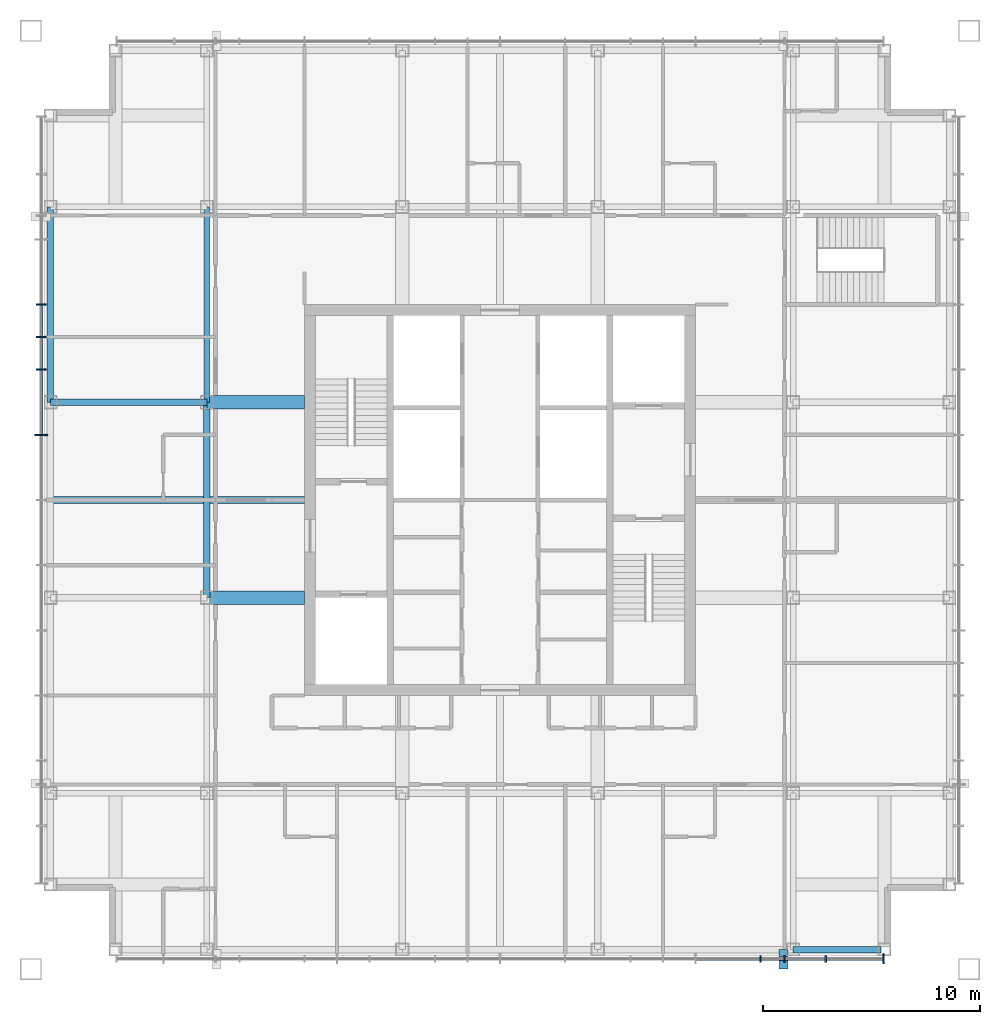
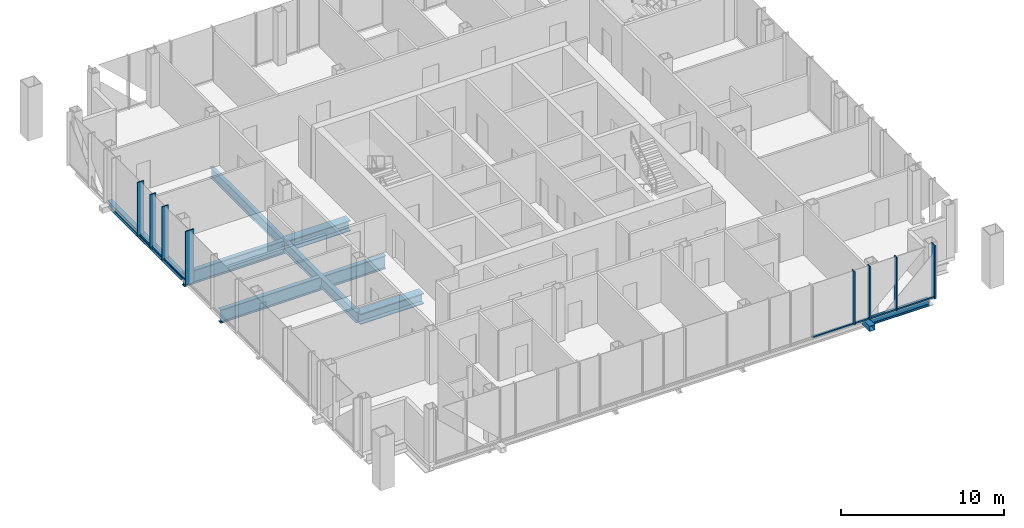
# One storey, part 3 of 11: 16 members, 8 beams, 2 elements without a shape of their own.
"""IFC4 building model written with IfcOpenShell, lengths in metres."""

from ifc_helpers import new_model, si_unit, direction, frame, origin, origin_2d, place, context, subcontext, project, spatial, rectangle, hollow_rectangle, i_section, extrude, material, layer, layer_set, material_profile, profile_set, type_object, element, aggregate, save


model = new_model("IFC4")

# Units and contexts
model_context = context("Model", 3, precision=1e-05, world=origin(), true_north=direction((0.0, 1.0)))
body_context = subcontext(model_context, "Body", "Model", "MODEL_VIEW")
ifc_project = project(units=[si_unit("LENGTHUNIT", "METRE"), si_unit("AREAUNIT", "SQUARE_METRE"), si_unit("VOLUMEUNIT", "CUBIC_METRE"), si_unit("PLANEANGLEUNIT", "RADIAN"), si_unit("MASSUNIT", "GRAM", prefix="KILO")], contexts=[model_context])

# Site, building, storey
site_placement = place(None, origin())
site = spatial("IfcSite", under=ifc_project, at=site_placement, CompositionType="ELEMENT")
building_placement = place(site_placement, origin())
building = spatial("IfcBuilding", under=site, at=building_placement, Name="Malebo Sky Hospital", CompositionType="ELEMENT")
storey_placement = place(building_placement, frame((0.0, 0.0, 282.0)))
storey = spatial("IfcBuildingStorey", under=building, at=storey_placement, Name="L68", CompositionType="ELEMENT", Elevation=282.0)

# Curtain wall, members
ifc_material_1 = material(Name="Anodised aluminium, natural silver", Category="aluminium")
ifc_layer_1 = layer(ifc_material_1, 0.25)
ifc_layer_set_1 = layer_set([ifc_layer_1], Name="WARD CURTAIN WALL EAST AND WEST")
curtain_wall_type_1 = type_object("IfcCurtainWallType", Name="WARD CURTAIN WALL EAST AND WEST", PredefinedType="NOTDEFINED", material=ifc_layer_set_1)
curtain_wall_1_placement = place(storey_placement, origin())
curtain_wall_1 = element("IfcCurtainWall", 1, at=curtain_wall_1_placement, inside=storey, type_object=curtain_wall_type_1, Name="EW curtain wall W", PredefinedType="NOTDEFINED")
ifc_material_profile_1 = material_profile(ifc_material_1, rectangle(XDim=0.14990234375, YDim=0.10009765625, at=origin_2d()), Name="ALUMINIUM TRANSOM 150x100")
ifc_profile_set_1 = profile_set([ifc_material_profile_1], Name="Anodised aluminium, natural silver")
member_type_1 = type_object("IfcMemberType", Name="ALUMINIUM TRANSOM 150x100", PredefinedType="USERDEFINED", material=ifc_profile_set_1)
member_1_placement = place(storey_placement, frame((38.875, 65.03759765625, 0.050048828125), z_axis=(0.0, 1.0, 0.0), x_axis=(-1.0, 0.0, 0.0)))
member_1 = element("IfcMember", 2, at=member_1_placement, type_object=member_type_1, Name="Transom 9", ObjectType="TRANSOM", PredefinedType="USERDEFINED", context=body_context, shape_type="SweptSolid", body=[
    extrude(rectangle(XDim=0.14990234375, YDim=0.10009765625, at=origin_2d()), origin(), (0.0, 0.0, 1.0), 2.9248046875),
])
member_2_placement = place(storey_placement, frame((38.875, 68.03759765625, 0.050048828125), z_axis=(0.0, 1.0, 0.0), x_axis=(-1.0, 0.0, 0.0)))
member_2 = element("IfcMember", 3, at=member_2_placement, type_object=member_type_1, Name="Transom 10", ObjectType="TRANSOM", PredefinedType="USERDEFINED", context=body_context, shape_type="SweptSolid", body=[
    extrude(rectangle(XDim=0.14990234375, YDim=0.10009765625, at=origin_2d()), origin(), (0.0, 0.0, 1.0), 1.4248046875),
])
member_3_placement = place(storey_placement, frame((38.875, 69.53759765625, 0.050048828125), z_axis=(0.0, 1.0, 0.0), x_axis=(-1.0, 0.0, 0.0)))
member_3 = element("IfcMember", 4, at=member_3_placement, type_object=member_type_1, Name="Transom 11", ObjectType="TRANSOM", PredefinedType="USERDEFINED", context=body_context, shape_type="SweptSolid", body=[
    extrude(rectangle(XDim=0.14990234375, YDim=0.10009765625, at=origin_2d()), origin(), (0.0, 0.0, 1.0), 1.4248046875),
])

ifc_layer_2 = layer(ifc_material_1, 0.25)
ifc_layer_set_2 = layer_set([ifc_layer_2], Name="WARD CURTAIN WALL NORTH AND SOUTH")
curtain_wall_type_2 = type_object("IfcCurtainWallType", Name="WARD CURTAIN WALL NORTH AND SOUTH", PredefinedType="NOTDEFINED", material=ifc_layer_set_2)
curtain_wall_2_placement = place(storey_placement, origin())
curtain_wall_2 = element("IfcCurtainWall", 5, at=curtain_wall_2_placement, inside=storey, type_object=curtain_wall_type_2, Name="NS curtain wall S", PredefinedType="NOTDEFINED")
member_4_placement = place(storey_placement, frame((77.625, 40.875, 0.050048828125), z_axis=(-1.0, 0.0, 0.0), x_axis=(0.0, -1.0, 0.0)))
member_4 = element("IfcMember", 6, at=member_4_placement, type_object=member_type_1, Name="Transom 1", ObjectType="TRANSOM", PredefinedType="USERDEFINED", context=body_context, shape_type="SweptSolid", body=[
    extrude(rectangle(XDim=0.14990234375, YDim=0.10009765625, at=origin_2d()), origin(), (0.0, 0.0, 1.0), 2.58740234375),
])
member_5_placement = place(storey_placement, frame((74.96240234375, 40.875, 0.050048828125), z_axis=(-1.0, 0.0, 0.0), x_axis=(0.0, -1.0, 0.0)))
member_5 = element("IfcMember", 7, at=member_5_placement, type_object=member_type_1, Name="Transom 2", ObjectType="TRANSOM", PredefinedType="USERDEFINED", context=body_context, shape_type="SweptSolid", body=[
    extrude(rectangle(XDim=0.14990234375, YDim=0.10009765625, at=origin_2d()), origin(), (0.0, 0.0, 1.0), 1.824951171875),
])
member_6_placement = place(storey_placement, frame((73.0625, 40.875, 0.050048828125), z_axis=(-1.0, 0.0, 0.0), x_axis=(0.0, -1.0, 0.0)))
member_6 = element("IfcMember", 8, at=member_6_placement, type_object=member_type_1, Name="Transom 3", ObjectType="TRANSOM", PredefinedType="USERDEFINED", context=body_context, shape_type="SweptSolid", body=[
    extrude(rectangle(XDim=0.14990234375, YDim=0.10009765625, at=origin_2d()), origin(), (0.0, 0.0, 1.0), 1.02490234375),
])
member_7_placement = place(storey_placement, frame((71.96240234375, 40.875, 0.050048828125), z_axis=(-1.0, 0.0, 0.0), x_axis=(0.0, -1.0, 0.0)))
member_7 = element("IfcMember", 9, at=member_7_placement, type_object=member_type_1, Name="Transom 4", ObjectType="TRANSOM", PredefinedType="USERDEFINED", context=body_context, shape_type="SweptSolid", body=[
    extrude(rectangle(XDim=0.14990234375, YDim=0.10009765625, at=origin_2d()), origin(), (0.0, 0.0, 1.0), 2.9248046875),
])

# Member
ifc_material_2 = material(Name="Steel S355", Category="steel")
ifc_material_profile_2 = material_profile(ifc_material_2, hollow_rectangle(XDim=0.39990234375, YDim=0.39990234375, WallThickness=0.02001953125, at=origin_2d()), Name="SHS 400x20")
ifc_profile_set_2 = profile_set([ifc_material_profile_2], Name="Steel S355")
member_type_2 = type_object("IfcMemberType", Name="BRACE STRUT SHS 400x20", PredefinedType="STRUT", material=ifc_profile_set_2)
member_8_placement = place(storey_placement, frame((73.05615234375, 40.39990234375, -0.39990234375), z_axis=(0.0, 1.0, 0.0), x_axis=(-1.0, 0.0, 0.0)))
element("IfcMember", 10, at=member_8_placement, inside=storey, type_object=member_type_2, Name="Brace strut DS1 L68", PredefinedType="STRUT", context=body_context, shape_type="SweptSolid", body=[
    extrude(hollow_rectangle(XDim=0.39990234375, YDim=0.39990234375, WallThickness=0.02001953125, at=origin_2d()), origin(), (0.0, 0.0, 1.0), 0.900146484375),
])

ifc_material_profile_3 = material_profile(ifc_material_1, rectangle(XDim=0.074951171875, YDim=0.300048828125, at=origin_2d()), Name="CW1 ALUMINIUM FIN MULLION 75x300")
ifc_profile_set_3 = profile_set([ifc_material_profile_3], Name="Anodised aluminium, natural silver")
member_type_3 = type_object("IfcMemberType", Name="CW1 ALUMINIUM FIN MULLION 75x300", PredefinedType="MULLION", material=ifc_profile_set_3)
member_9_placement = place(storey_placement, frame((75.0, 40.875, 0.0), z_axis=(0.0, 0.0, 1.0), x_axis=(-1.0, 0.0, 0.0)))
member_9 = element("IfcMember", 11, at=member_9_placement, type_object=member_type_3, Name="Fin mullion 2", PredefinedType="MULLION", context=body_context, shape_type="SweptSolid", body=[
    extrude(rectangle(XDim=0.074951171875, YDim=0.300048828125, at=origin_2d()), origin(), (0.0, 0.0, 1.0), 4.0),
])

member_10_placement = place(storey_placement, frame((73.10009765625, 40.875, 0.0), z_axis=(0.0, 0.0, 1.0), x_axis=(-1.0, 0.0, 0.0)))
member_10 = element("IfcMember", 12, at=member_10_placement, type_object=member_type_3, Name="Fin mullion 3", PredefinedType="MULLION", context=body_context, shape_type="SweptSolid", body=[
    extrude(rectangle(XDim=0.074951171875, YDim=0.300048828125, at=origin_2d()), origin(), (0.0, 0.0, 1.0), 4.0),
])

member_11_placement = place(storey_placement, frame((72.0, 40.875, 0.0), z_axis=(0.0, 0.0, 1.0), x_axis=(-1.0, 0.0, 0.0)))
member_11 = element("IfcMember", 13, at=member_11_placement, type_object=member_type_3, Name="Fin mullion 4", PredefinedType="MULLION", context=body_context, shape_type="SweptSolid", body=[
    extrude(rectangle(XDim=0.074951171875, YDim=0.300048828125, at=origin_2d()), origin(), (0.0, 0.0, 1.0), 4.0),
])

ifc_material_profile_4 = material_profile(ifc_material_1, rectangle(XDim=0.074951171875, YDim=0.449951171875, at=origin_2d()), Name="CW1 ALUMINIUM FIN MULLION 75x450")
ifc_profile_set_4 = profile_set([ifc_material_profile_4], Name="Anodised aluminium, natural silver")
member_type_4 = type_object("IfcMemberType", Name="CW1 ALUMINIUM FIN MULLION 75x450", PredefinedType="MULLION", material=ifc_profile_set_4)
member_12_placement = place(storey_placement, frame((77.66259765625, 40.875, 0.0), z_axis=(0.0, 0.0, 1.0), x_axis=(-1.0, 0.0, 0.0)))
member_12 = element("IfcMember", 14, at=member_12_placement, type_object=member_type_4, Name="Fin mullion 1", PredefinedType="MULLION", context=body_context, shape_type="SweptSolid", body=[
    extrude(rectangle(XDim=0.074951171875, YDim=0.449951171875, at=origin_2d()), origin(), (0.0, 0.0, 1.0), 4.0),
])

aggregate(curtain_wall_2, [member_12, member_9, member_10, member_11, member_4, member_5, member_6, member_7])

ifc_material_profile_5 = material_profile(ifc_material_1, rectangle(XDim=0.074951171875, YDim=0.449951171875, at=origin_2d()), Name="CW2 ALUMINIUM FIN MULLION 75x450")
ifc_profile_set_5 = profile_set([ifc_material_profile_5], Name="Anodised aluminium, natural silver")
member_type_5 = type_object("IfcMemberType", Name="CW2 ALUMINIUM FIN MULLION 75x450", PredefinedType="MULLION", material=ifc_profile_set_5)
member_13_placement = place(storey_placement, frame((38.875, 68.0, 0.0), z_axis=(0.0, 0.0, 1.0), x_axis=(0.0, 1.0, 0.0)))
member_13 = element("IfcMember", 15, at=member_13_placement, type_object=member_type_5, Name="Fin mullion 10", PredefinedType="MULLION", context=body_context, shape_type="SweptSolid", body=[
    extrude(rectangle(XDim=0.074951171875, YDim=0.449951171875, at=origin_2d()), origin(), (0.0, 0.0, 1.0), 4.0),
])

member_14_placement = place(storey_placement, frame((38.875, 69.5, 0.0), z_axis=(0.0, 0.0, 1.0), x_axis=(0.0, 1.0, 0.0)))
member_14 = element("IfcMember", 16, at=member_14_placement, type_object=member_type_5, Name="Fin mullion 11", PredefinedType="MULLION", context=body_context, shape_type="SweptSolid", body=[
    extrude(rectangle(XDim=0.074951171875, YDim=0.449951171875, at=origin_2d()), origin(), (0.0, 0.0, 1.0), 4.0),
])

member_15_placement = place(storey_placement, frame((38.875, 71.0, 0.0), z_axis=(0.0, 0.0, 1.0), x_axis=(0.0, 1.0, 0.0)))
member_15 = element("IfcMember", 17, at=member_15_placement, type_object=member_type_5, Name="Fin mullion 12", PredefinedType="MULLION", context=body_context, shape_type="SweptSolid", body=[
    extrude(rectangle(XDim=0.074951171875, YDim=0.449951171875, at=origin_2d()), origin(), (0.0, 0.0, 1.0), 4.0),
])

ifc_material_profile_6 = material_profile(ifc_material_1, rectangle(XDim=0.074951171875, YDim=0.60009765625, at=origin_2d()), Name="CW2 ALUMINIUM FIN MULLION 75x600")
ifc_profile_set_6 = profile_set([ifc_material_profile_6], Name="Anodised aluminium, natural silver")
member_type_6 = type_object("IfcMemberType", Name="CW2 ALUMINIUM FIN MULLION 75x600", PredefinedType="MULLION", material=ifc_profile_set_6)
member_16_placement = place(storey_placement, frame((38.875, 65.0, 0.0), z_axis=(0.0, 0.0, 1.0), x_axis=(0.0, 1.0, 0.0)))
member_16 = element("IfcMember", 18, at=member_16_placement, type_object=member_type_6, Name="Fin mullion 9", PredefinedType="MULLION", context=body_context, shape_type="SweptSolid", body=[
    extrude(rectangle(XDim=0.074951171875, YDim=0.60009765625, at=origin_2d()), origin(), (0.0, 0.0, 1.0), 4.0),
])

aggregate(curtain_wall_1, [member_16, member_13, member_14, member_15, member_1, member_2, member_3])

# Beams
ifc_material_profile_7 = material_profile(ifc_material_2, i_section(OverallWidth=0.305908203125, OverallDepth=0.52392578125, WebThickness=0.02099609375, FlangeThickness=0.0400390625, FilletRadius=0.027099609375, at=origin_2d()), Name="HEM 500")
ifc_profile_set_7 = profile_set([ifc_material_profile_7], Name="Steel S355")
beam_type_1 = type_object("IfcBeamType", Name="EDGE BEAM HEM 500", PredefinedType="BEAM", material=ifc_profile_set_7)
beam_1_placement = place(storey_placement, frame((39.300048828125, 66.5, -0.511962890625), z_axis=(0.0, 1.0, 0.0), x_axis=(-1.0, 0.0, 0.0)))
element("IfcBeam", 19, at=beam_1_placement, inside=storey, type_object=beam_type_1, Name="Beam 003 L68", PredefinedType="BEAM", context=body_context, shape_type="SweptSolid", body=[
    extrude(i_section(OverallWidth=0.305908203125, OverallDepth=0.52392578125, WebThickness=0.02099609375, FlangeThickness=0.0400390625, FilletRadius=0.027099609375, at=origin_2d()), origin(), (0.0, 0.0, 1.0), 9.0),
])
beam_2_placement = place(storey_placement, frame((73.5, 41.300048828125, -0.511962890625), z_axis=(1.0, 0.0, 0.0), x_axis=(0.0, 1.0, 0.0)))
element("IfcBeam", 20, at=beam_2_placement, inside=storey, type_object=beam_type_1, Name="Beam 038 L68", PredefinedType="BEAM", context=body_context, shape_type="SweptSolid", body=[
    extrude(i_section(OverallWidth=0.305908203125, OverallDepth=0.52392578125, WebThickness=0.02099609375, FlangeThickness=0.0400390625, FilletRadius=0.027099609375, at=origin_2d()), origin(), (0.0, 0.0, 1.0), 4.050048828125),
])
ifc_material_profile_8 = material_profile(ifc_material_2, i_section(OverallWidth=0.300048828125, OverallDepth=1.0, WebThickness=0.01904296875, FlangeThickness=0.035888671875, FilletRadius=0.030029296875, at=origin_2d()), Name="HEB 1000")
ifc_profile_set_8 = profile_set([ifc_material_profile_8], Name="Steel S355")
beam_type_2 = type_object("IfcBeamType", Name="FLOOR BEAM HEB 1000", PredefinedType="BEAM", material=ifc_profile_set_8)
beam_3_placement = place(storey_placement, frame((39.300048828125, 62.0, -0.75), z_axis=(1.0, 0.0, 0.0), x_axis=(0.0, 1.0, 0.0)))
element("IfcBeam", 21, at=beam_3_placement, inside=storey, type_object=beam_type_2, Name="Beam 050 L68", PredefinedType="BEAM", context=body_context, shape_type="SweptSolid", body=[
    extrude(i_section(OverallWidth=0.300048828125, OverallDepth=1.0, WebThickness=0.01904296875, FlangeThickness=0.035888671875, FilletRadius=0.030029296875, at=origin_2d()), origin(), (0.0, 0.0, 1.0), 11.699951171875),
])
beam_4_placement = place(storey_placement, frame((39.300048828125, 66.5, -0.75), z_axis=(1.0, 0.0, 0.0), x_axis=(0.0, 1.0, 0.0)))
element("IfcBeam", 22, at=beam_4_placement, inside=storey, type_object=beam_type_2, Name="Beam 052 L68", PredefinedType="BEAM", context=body_context, shape_type="SweptSolid", body=[
    extrude(i_section(OverallWidth=0.300048828125, OverallDepth=1.0, WebThickness=0.01904296875, FlangeThickness=0.035888671875, FilletRadius=0.030029296875, at=origin_2d()), origin(), (0.0, 0.0, 1.0), 7.199951171875),
])
ifc_material_profile_9 = material_profile(ifc_material_2, i_section(OverallWidth=0.26708984375, OverallDepth=0.761962890625, WebThickness=0.014404296875, FlangeThickness=0.021484375, FilletRadius=0.01708984375, at=origin_2d()), Name="IPE 750x173")
ifc_profile_set_9 = profile_set([ifc_material_profile_9], Name="Steel S355")
beam_type_3 = type_object("IfcBeamType", Name="FLOOR BEAM IPE 750x173", PredefinedType="BEAM", material=ifc_profile_set_9)
beam_5_placement = place(storey_placement, frame((46.5, 66.5, -0.631103515625), z_axis=(0.0, 1.0, 0.0), x_axis=(-1.0, 0.0, 0.0)))
element("IfcBeam", 23, at=beam_5_placement, inside=storey, type_object=beam_type_3, Name="Beam 010 L68", PredefinedType="BEAM", context=body_context, shape_type="SweptSolid", body=[
    extrude(i_section(OverallWidth=0.26708984375, OverallDepth=0.761962890625, WebThickness=0.014404296875, FlangeThickness=0.021484375, FilletRadius=0.01708984375, at=origin_2d()), origin(), (0.0, 0.0, 1.0), 9.0),
])
ifc_material_profile_10 = material_profile(ifc_material_2, i_section(OverallWidth=0.60009765625, OverallDepth=0.800048828125, WebThickness=0.0400390625, FlangeThickness=0.06005859375, at=origin_2d()), Name="PG 800x600x40x60")
ifc_profile_set_10 = profile_set([ifc_material_profile_10], Name="Steel S355")
beam_type_4 = type_object("IfcBeamType", Name="FLOOR BEAM PG 800x600x40x60", PredefinedType="BEAM", material=ifc_profile_set_10)
for number, where, z_axis, x_axis, name in (
    (24, (46.5, 57.5, -0.64990234375), (1.0, 0.0, 0.0), (0.0, 1.0, 0.0), "Beam 047 L68"),
    (25, (46.5, 66.5, -0.64990234375), (1.0, 0.0, 0.0), (0.0, 1.0, 0.0), "Beam 053 L68"),
):
    element("IfcBeam", number, at=place(storey_placement, frame(where, z_axis=z_axis, x_axis=x_axis)), inside=storey, type_object=beam_type_4, Name=name, PredefinedType="BEAM", context=body_context, shape_type="SweptSolid", body=[
        extrude(i_section(OverallWidth=0.60009765625, OverallDepth=0.800048828125, WebThickness=0.0400390625, FlangeThickness=0.06005859375, at=origin_2d()), origin(), (0.0, 0.0, 1.0), 4.5),
    ])
ifc_material_profile_11 = material_profile(ifc_material_2, i_section(OverallWidth=0.300048828125, OverallDepth=0.800048828125, WebThickness=0.017578125, FlangeThickness=0.032958984375, FilletRadius=0.030029296875, at=origin_2d()), Name="HEB 800")
ifc_profile_set_11 = profile_set([ifc_material_profile_11], Name="Steel S355")
beam_type_5 = type_object("IfcBeamType", Name="RING GIRDER HEB 800", PredefinedType="BEAM", material=ifc_profile_set_11)
beam_6_placement = place(storey_placement, frame((46.5, 57.5, -0.64990234375), z_axis=(0.0, 1.0, 0.0), x_axis=(-1.0, 0.0, 0.0)))
element("IfcBeam", 26, at=beam_6_placement, inside=storey, type_object=beam_type_5, Name="Beam 009 L68", PredefinedType="BEAM", context=body_context, shape_type="SweptSolid", body=[
    extrude(i_section(OverallWidth=0.300048828125, OverallDepth=0.800048828125, WebThickness=0.017578125, FlangeThickness=0.032958984375, FilletRadius=0.030029296875, at=origin_2d()), origin(), (0.0, 0.0, 1.0), 9.0),
])

save(model, "model.ifc")
